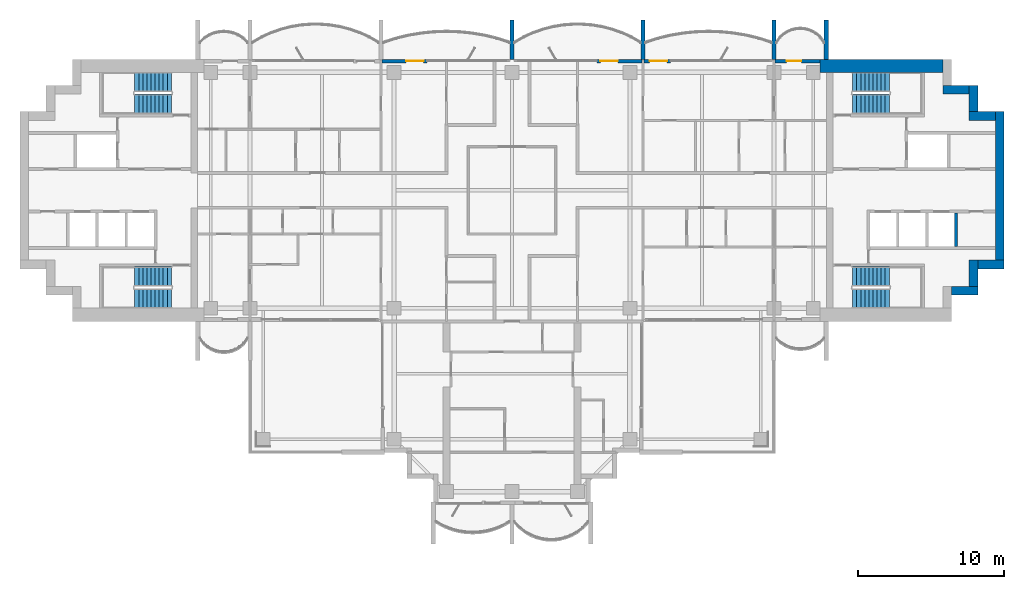
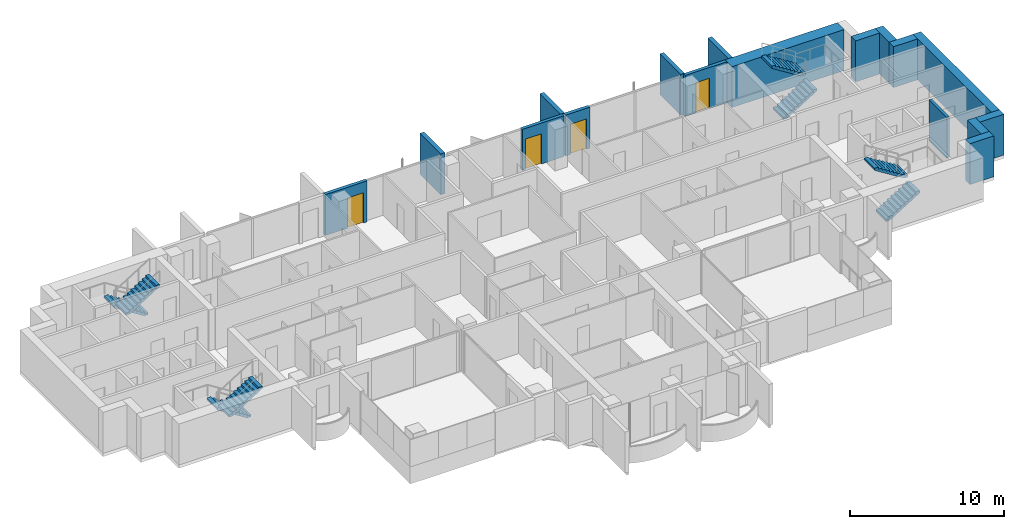
# One storey, part 13 of 17: 17 walls, 8 stair flights, 4 doors, 4 openings, 4 elements without a shape of their own.
"""IFC4 building model written with IfcOpenShell, lengths in metres."""

from ifc_helpers import new_model, si_unit, direction, frame, frame_2d, origin, place, context, subcontext, project, spatial, polyline, rectangle, outline, extrude, material, layer, layer_set, type_object, element, fill, aggregate, save


model = new_model("IFC4")

# Units and contexts
model_context = context("Model", 3, precision=1e-05, world=origin(), true_north=direction((0.0, 1.0)))
body_context = subcontext(model_context, "Body", "Model", "MODEL_VIEW")
ifc_project = project(units=[si_unit("LENGTHUNIT", "METRE"), si_unit("AREAUNIT", "SQUARE_METRE"), si_unit("VOLUMEUNIT", "CUBIC_METRE"), si_unit("PLANEANGLEUNIT", "RADIAN"), si_unit("MASSUNIT", "GRAM", prefix="KILO")], contexts=[model_context])

# Site, building, storey
site_placement = place(None, origin())
site = spatial("IfcSite", under=ifc_project, at=site_placement, CompositionType="ELEMENT")
building_placement = place(site_placement, origin())
building = spatial("IfcBuilding", under=site, at=building_placement, Name="Perihelion Cross Residences", CompositionType="ELEMENT")
storey_placement = place(building_placement, frame((0.0, 0.0, 201.60009765625)))
storey = spatial("IfcBuildingStorey", under=building, at=storey_placement, Name="L50", CompositionType="ELEMENT", Elevation=201.60009765625)

# Wall, opening, door
ifc_material_1 = material(Name="Concrete C30/37, bronze-clad", Category="concrete")
ifc_layer_1 = layer(ifc_material_1, 0.25)
ifc_layer_set_1 = layer_set([ifc_layer_1], Name="Bronze-clad pier wall 250")
wall_type_1 = type_object("IfcWallType", Name="Bronze-clad pier wall 250", PredefinedType="SOLIDWALL", material=ifc_layer_set_1)
wall_1_placement = place(storey_placement, frame((21.175048828125, 8.875, 0.0), z_axis=(0.0, 0.0, 1.0), x_axis=(-1.0, 0.0, 0.0)))
wall_1 = element("IfcWall", 1, at=wall_1_placement, inside=storey, type_object=wall_type_1, Name="Wall FW1 L50 east side north bay 1 pier", PredefinedType="SOLIDWALL", context=body_context, shape_type="SweptSolid", body=[
    extrude(rectangle(XDim=3.114990234375, YDim=0.25, at=frame_2d((1.5576171875, 0.0))), origin(), (0.0, 0.0, 1.0), 3.25),
])
opening_1_placement = place(wall_1_placement, frame((1.300048828125, 0.0, 0.0)))
opening_1 = element("IfcOpeningElement", 2, at=opening_1_placement, cuts=wall_1, Name="Opening L50.E01", PredefinedType="OPENING", context=body_context, shape_type="SweptSolid", body=[
    extrude(rectangle(XDim=1.0, YDim=2.39990234375, at=frame_2d((0.5, 1.199951171875))), frame((0.0, 0.135009765625, 0.0), z_axis=(0.0, -1.0, 0.0), x_axis=(1.0, 0.0, 0.0)), (0.0, 0.0, 1.0), 0.27001953125),
])
ifc_material_2 = material(Name="Bronze anodised aluminium, glazed", Category="aluminium")
door_type_1 = type_object("IfcDoorType", Name="Balcony door 1000 x 2400", OperationType="NOTDEFINED", PredefinedType="DOOR", material=ifc_material_2)
door_1_placement = place(opening_1_placement, origin())
door_1 = element("IfcDoor", 3, at=door_1_placement, inside=storey, type_object=door_type_1, Name="Door L50.E01 east side north bay 1", OperationType="SINGLE_SWING_LEFT", OverallHeight=2.39990234375, OverallWidth=1.0, PredefinedType="DOOR", context=body_context, shape_type="SweptSolid", body=[
    extrude(rectangle(XDim=1.0, YDim=2.39990234375, at=frame_2d((0.5, 1.199951171875))), frame((0.0, 0.02490234375, 0.0), z_axis=(0.0, -1.0, 0.0), x_axis=(1.0, 0.0, 0.0)), (0.0, 0.0, 1.0), 0.050048828125),
])
fill(opening_1, door_1)

wall_2_placement = place(storey_placement, frame((10.89990234375, 8.875, 0.0), z_axis=(0.0, 0.0, 1.0), x_axis=(-1.0, 0.0, 0.0)))
wall_2 = element("IfcWall", 4, at=wall_2_placement, inside=storey, type_object=wall_type_1, Name="Wall FW1 L50 east side north bay 2 pier", PredefinedType="SOLIDWALL", context=body_context, shape_type="SweptSolid", body=[
    extrude(rectangle(XDim=1.83984375, YDim=0.25, at=frame_2d((0.919921875, 0.0))), origin(), (0.0, 0.0, 1.0), 3.25),
])
opening_2_placement = place(wall_2_placement, frame((0.25, 0.0, 0.0)))
opening_2 = element("IfcOpeningElement", 5, at=opening_2_placement, cuts=wall_2, Name="Opening L50.E02", PredefinedType="OPENING", context=body_context, shape_type="SweptSolid", body=[
    extrude(rectangle(XDim=1.199951171875, YDim=2.39990234375, at=frame_2d((0.60009765625, 1.199951171875))), frame((0.0, 0.135009765625, 0.0), z_axis=(0.0, -1.0, 0.0), x_axis=(1.0, 0.0, 0.0)), (0.0, 0.0, 1.0), 0.27001953125),
])
ifc_material_3 = material(Name="Bronze anodised aluminium, glazed", Category="aluminium")
door_type_2 = type_object("IfcDoorType", Name="Balcony door 1200 x 2400", OperationType="NOTDEFINED", PredefinedType="DOOR", material=ifc_material_3)
door_2_placement = place(opening_2_placement, origin())
door_2 = element("IfcDoor", 6, at=door_2_placement, inside=storey, type_object=door_type_2, Name="Door L50.E02 east side north bay 2", OperationType="SINGLE_SWING_RIGHT", OverallHeight=2.39990234375, OverallWidth=1.199951171875, PredefinedType="DOOR", context=body_context, shape_type="SweptSolid", body=[
    extrude(rectangle(XDim=1.199951171875, YDim=2.39990234375, at=frame_2d((0.60009765625, 1.199951171875))), frame((0.0, 0.02490234375, 0.0), z_axis=(0.0, -1.0, 0.0), x_axis=(1.0, 0.0, 0.0)), (0.0, 0.0, 1.0), 0.050048828125),
])
fill(opening_2, door_2)

wall_3_placement = place(storey_placement, frame((8.93994140625, 8.875, 0.0), z_axis=(0.0, 0.0, 1.0), x_axis=(-1.0, 0.0, 0.0)))
wall_3 = element("IfcWall", 7, at=wall_3_placement, inside=storey, type_object=wall_type_1, Name="Wall FW1 L50 north side east bay 1 pier", PredefinedType="SOLIDWALL", context=body_context, shape_type="SweptSolid", body=[
    extrude(rectangle(XDim=3.114990234375, YDim=0.25, at=frame_2d((1.5576171875, 0.0))), origin(), (0.0, 0.0, 1.0), 3.25),
])
opening_3_placement = place(wall_3_placement, frame((1.6650390625, 0.0, 0.0)))
opening_3 = element("IfcOpeningElement", 8, at=opening_3_placement, cuts=wall_3, Name="Opening L50.E03", PredefinedType="OPENING", context=body_context, shape_type="SweptSolid", body=[
    extrude(rectangle(XDim=1.199951171875, YDim=2.39990234375, at=frame_2d((0.60009765625, 1.199951171875))), frame((0.0, 0.135009765625, 0.0), z_axis=(0.0, -1.0, 0.0), x_axis=(1.0, 0.0, 0.0)), (0.0, 0.0, 1.0), 0.27001953125),
])
door_3_placement = place(opening_3_placement, origin())
door_3 = element("IfcDoor", 9, at=door_3_placement, inside=storey, type_object=door_type_2, Name="Door L50.E03 north side east bay 1", OperationType="SINGLE_SWING_LEFT", OverallHeight=2.39990234375, OverallWidth=1.199951171875, PredefinedType="DOOR", context=body_context, shape_type="SweptSolid", body=[
    extrude(rectangle(XDim=1.199951171875, YDim=2.39990234375, at=frame_2d((0.60009765625, 1.199951171875))), frame((0.0, 0.02490234375, 0.0), z_axis=(0.0, -1.0, 0.0), x_axis=(1.0, 0.0, 0.0)), (0.0, 0.0, 1.0), 0.050048828125),
])
fill(opening_3, door_3)

wall_4_placement = place(storey_placement, frame((-5.824951171875, 8.875, 0.0), z_axis=(0.0, 0.0, 1.0), x_axis=(-1.0, 0.0, 0.0)))
wall_4 = element("IfcWall", 10, at=wall_4_placement, inside=storey, type_object=wall_type_1, Name="Wall FW1 L50 north side east bay 2 pier", PredefinedType="SOLIDWALL", context=body_context, shape_type="SweptSolid", body=[
    extrude(rectangle(XDim=3.114990234375, YDim=0.25, at=frame_2d((1.5576171875, 0.0))), origin(), (0.0, 0.0, 1.0), 3.25),
])
opening_4_placement = place(wall_4_placement, frame((0.25, 0.0, 0.0)))
opening_4 = element("IfcOpeningElement", 11, at=opening_4_placement, cuts=wall_4, Name="Opening L50.E04", PredefinedType="OPENING", context=body_context, shape_type="SweptSolid", body=[
    extrude(rectangle(XDim=1.199951171875, YDim=2.39990234375, at=frame_2d((0.60009765625, 1.199951171875))), frame((0.0, 0.135009765625, 0.0), z_axis=(0.0, -1.0, 0.0), x_axis=(1.0, 0.0, 0.0)), (0.0, 0.0, 1.0), 0.27001953125),
])
door_4_placement = place(opening_4_placement, origin())
door_4 = element("IfcDoor", 12, at=door_4_placement, inside=storey, type_object=door_type_2, Name="Door L50.E04 north side east bay 2", OperationType="SINGLE_SWING_RIGHT", OverallHeight=2.39990234375, OverallWidth=1.199951171875, PredefinedType="DOOR", context=body_context, shape_type="SweptSolid", body=[
    extrude(rectangle(XDim=1.199951171875, YDim=2.39990234375, at=frame_2d((0.60009765625, 1.199951171875))), frame((0.0, 0.02490234375, 0.0), z_axis=(0.0, -1.0, 0.0), x_axis=(1.0, 0.0, 0.0)), (0.0, 0.0, 1.0), 0.050048828125),
])
fill(opening_4, door_4)

# Walls
ifc_material_4 = material(Name="Concrete C60/75", Category="concrete")
ifc_layer_2 = layer(ifc_material_4, 0.60009765625)
ifc_layer_set_2 = layer_set([ifc_layer_2], Name="Core wall, outer 600")
wall_type_2 = type_object("IfcWallType", Name="Core wall, outer 600", PredefinedType="SHEAR", material=ifc_layer_set_2)
for number, where, z_axis, x_axis, name in (
    (13, (30.199951171875, -6.89990234375, 0.0), (0.0, 0.0, 1.0), (1.0, 0.0, 0.0), "East core core wall, outer"),
    (14, (31.699951171875, -6.60009765625, 0.0), (0.0, 0.0, 1.0), (0.0, 1.0, 0.0), "East core core wall, outer"),
    (15, (32.0, -5.10009765625, 0.0), (0.0, 0.0, 1.0), (1.0, 0.0, 0.0), "East core core wall, outer"),
):
    element("IfcWall", number, at=place(storey_placement, frame(where, z_axis=z_axis, x_axis=x_axis)), inside=storey, type_object=wall_type_2, Name=name, PredefinedType="SHEAR", context=body_context, shape_type="SweptSolid", body=[
        extrude(rectangle(XDim=1.800048828125, YDim=0.60009765625, at=frame_2d((0.89990234375, 0.0))), origin(), (0.0, 0.0, 1.0), 3.25),
    ])
wall_5_placement = place(storey_placement, frame((33.5, -4.800048828125, 0.0), z_axis=(0.0, 0.0, 1.0), x_axis=(0.0, 1.0, 0.0)))
element("IfcWall", 16, at=wall_5_placement, inside=storey, type_object=wall_type_2, Name="East core core wall, outer", PredefinedType="SHEAR", context=body_context, shape_type="SweptSolid", body=[
    extrude(rectangle(XDim=10.199951171875, YDim=0.60009765625, at=frame_2d((5.10009765625, 0.0))), origin(), (0.0, 0.0, 1.0), 3.25),
])
for number, where, z_axis, x_axis, name in (
    (17, (31.39990234375, 5.10009765625, 0.0), (0.0, 0.0, 1.0), (1.0, 0.0, 0.0), "East core core wall, outer"),
    (18, (31.699951171875, 5.39990234375, 0.0), (0.0, 0.0, 1.0), (0.0, 1.0, 0.0), "East core core wall, outer"),
):
    element("IfcWall", number, at=place(storey_placement, frame(where, z_axis=z_axis, x_axis=x_axis)), inside=storey, type_object=wall_type_2, Name=name, PredefinedType="SHEAR", context=body_context, shape_type="SweptSolid", body=[
        extrude(rectangle(XDim=1.800048828125, YDim=0.60009765625, at=frame_2d((0.89990234375, 0.0))), origin(), (0.0, 0.0, 1.0), 3.25),
    ])
wall_6_placement = place(storey_placement, frame((29.60009765625, 6.89990234375, 0.0), z_axis=(0.0, 0.0, 1.0), x_axis=(1.0, 0.0, 0.0)))
element("IfcWall", 19, at=wall_6_placement, inside=storey, type_object=wall_type_2, Name="East core core wall, outer", PredefinedType="SHEAR", context=body_context, shape_type="SweptSolid", body=[
    extrude(rectangle(XDim=1.7998046875, YDim=0.60009765625, at=frame_2d((0.89990234375, 0.0))), origin(), (0.0, 0.0, 1.0), 3.25),
])
ifc_material_5 = material(Name="Concrete C60/75", Category="concrete")
ifc_layer_3 = layer(ifc_material_5, 0.89990234375)
ifc_layer_set_3 = layer_set([ifc_layer_3], Name="Core wall, outer 900")
wall_type_3 = type_object("IfcWallType", Name="Core wall, outer 900", PredefinedType="SHEAR", material=ifc_layer_set_3)
wall_7_placement = place(storey_placement, frame((21.175048828125, 8.550048828125, 0.0), z_axis=(0.0, 0.0, 1.0), x_axis=(1.0, 0.0, 0.0)))
element("IfcWall", 20, at=wall_7_placement, inside=storey, type_object=wall_type_3, Name="East core core wall, outer", PredefinedType="SHEAR", context=body_context, shape_type="SweptSolid", body=[
    extrude(rectangle(XDim=8.425048828125, YDim=0.89990234375, at=frame_2d((4.21240234375, 0.0))), origin(), (0.0, 0.0, 1.0), 3.25),
])
ifc_material_6 = material(Name="Precast concrete C50/60", Category="concrete")
ifc_layer_4 = layer(ifc_material_6, 0.300048828125)
ifc_layer_set_4 = layer_set([ifc_layer_4], Name="Precast concrete C50/60 blade wall 300")
wall_type_4 = type_object("IfcWallType", Name="Precast concrete C50/60 blade wall 300", PredefinedType="SOLIDWALL", material=ifc_layer_set_4)
for number, where, z_axis, x_axis, name in (
    (21, (0.0, 9.0, 0.0), (0.0, 0.0, 1.0), (0.0, 1.0, 0.0), "Wall BL1 L50 no. 9"),
    (22, (9.0, 9.0, 0.0), (0.0, 0.0, 1.0), (0.0, 1.0, 0.0), "Wall BL1 L50 no. 16"),
    (23, (18.0, 9.0, 0.0), (0.0, 0.0, 1.0), (0.0, 1.0, 0.0), "Wall BL1 L50 no. 11"),
    (24, (21.60009765625, 9.0, 0.0), (0.0, 0.0, 1.0), (0.0, 1.0, 0.0), "Wall BL1 L50 no. 13"),
):
    element("IfcWall", number, at=place(storey_placement, frame(where, z_axis=z_axis, x_axis=x_axis)), inside=storey, type_object=wall_type_4, Name=name, PredefinedType="SOLIDWALL", context=body_context, shape_type="SweptSolid", body=[
        extrude(rectangle(XDim=2.699951171875, YDim=0.300048828125, at=frame_2d((1.35009765625, 0.0))), origin(), (0.0, 0.0, 1.0), 3.25),
    ])
ifc_material_7 = material(Name="Concrete C50/60", Category="concrete")
ifc_layer_5 = layer(ifc_material_7, 0.199951171875)
ifc_layer_set_5 = layer_set([ifc_layer_5], Name="Shaft wall 200")
wall_type_5 = type_object("IfcWallType", Name="Shaft wall 200", PredefinedType="SOLIDWALL", material=ifc_layer_set_5)
wall_8_placement = place(storey_placement, frame((30.5, -3.85009765625, 0.0), z_axis=(0.0, 0.0, 1.0), x_axis=(0.0, 1.0, 0.0)))
element("IfcWall", 25, at=wall_8_placement, inside=storey, type_object=wall_type_5, Name="East core shaft wall", PredefinedType="SOLIDWALL", context=body_context, shape_type="SweptSolid", body=[
    extrude(rectangle(XDim=2.300048828125, YDim=0.199951171875, at=frame_2d((1.14990234375, 0.0))), origin(), (0.0, 0.0, 1.0), 3.25),
])

# Stair, stair flights
ifc_material_8 = material(Name="Concrete C40/50", Category="concrete")
stair_type = type_object("IfcStairType", Name="Exit stair, half-turn", PredefinedType="HALF_TURN_STAIR", material=ifc_material_8)
stair_1_placement = place(storey_placement, origin())
stair_1 = element("IfcStair", 26, at=stair_1_placement, inside=storey, type_object=stair_type, Name="L50 East core exit stair 1", PredefinedType="HALF_TURN_STAIR")
ifc_material_9 = material(Name="Concrete C40/50", Category="concrete")
stair_flight_type = type_object("IfcStairFlightType", Name="Exit stair flight", PredefinedType="STRAIGHT", material=ifc_material_9)
stair_flight_1_placement = place(storey_placement, frame((23.39990234375, 5.925048828125, 0.0), z_axis=(0.0, 0.0, 1.0), x_axis=(1.0, 0.0, 0.0)))
stair_flight_1 = element("IfcStairFlight", 27, at=stair_flight_1_placement, type_object=stair_flight_type, Name="ST-E1 flight 1", NumberOfRisers=10, NumberOfTreads=9, PredefinedType="STRAIGHT", RiserHeight=0.175, TreadLength=0.28, context=body_context, shape_type="SweptSolid", body=[
    extrude(outline(polyline([(0.0, 0.0), (0.0, 0.175048828125), (0.280029296875, 0.175048828125), (0.280029296875, 0.35009765625), (0.56005859375, 0.35009765625), (0.56005859375, 0.52490234375), (0.840087890625, 0.52490234375), (0.840087890625, 0.699951171875), (1.1201171875, 0.699951171875), (1.1201171875, 0.875), (1.39990234375, 0.875), (1.39990234375, 1.050048828125), (1.679931640625, 1.050048828125), (1.679931640625, 1.22509765625), (1.9599609375, 1.22509765625), (1.9599609375, 1.39990234375), (2.239990234375, 1.39990234375), (2.239990234375, 1.574951171875), (2.52001953125, 1.574951171875), (2.52001953125, 1.75), (2.52001953125, 1.398193359375), (0.28271484375, 0.0), (0.0, 0.0)])), frame((0.0, 0.675048828125, 0.0), z_axis=(0.0, -1.0, 0.0), x_axis=(1.0, 0.0, 0.0)), (0.0, 0.0, 1.0), 1.35009765625),
])
stair_flight_2_placement = place(storey_placement, frame((25.919921875, 7.425048828125, 1.75), z_axis=(0.0, 0.0, 1.0), x_axis=(-1.0, 0.0, 0.0)))
stair_flight_2 = element("IfcStairFlight", 28, at=stair_flight_2_placement, type_object=stair_flight_type, Name="ST-E1 flight 2", NumberOfRisers=10, NumberOfTreads=9, PredefinedType="STRAIGHT", RiserHeight=0.175, TreadLength=0.28, context=body_context, shape_type="SweptSolid", body=[
    extrude(outline(polyline([(0.0, 0.0), (0.0, 0.175048828125), (0.280029296875, 0.175048828125), (0.280029296875, 0.35009765625), (0.56005859375, 0.35009765625), (0.56005859375, 0.52490234375), (0.840087890625, 0.52490234375), (0.840087890625, 0.699951171875), (1.1201171875, 0.699951171875), (1.1201171875, 0.875), (1.39990234375, 0.875), (1.39990234375, 1.050048828125), (1.679931640625, 1.050048828125), (1.679931640625, 1.22509765625), (1.9599609375, 1.22509765625), (1.9599609375, 1.39990234375), (2.239990234375, 1.39990234375), (2.239990234375, 1.574951171875), (2.52001953125, 1.574951171875), (2.52001953125, 1.75), (2.52001953125, 1.398193359375), (0.28271484375, 0.0), (0.0, 0.0)])), frame((0.0, 0.675048828125, 0.0), z_axis=(0.0, -1.0, 0.0), x_axis=(1.0, 0.0, 0.0)), (0.0, 0.0, 1.0), 1.35009765625),
])
aggregate(stair_1, [stair_flight_1, stair_flight_2])

stair_2_placement = place(storey_placement, origin())
stair_2 = element("IfcStair", 29, at=stair_2_placement, inside=storey, type_object=stair_type, Name="L50 East core exit stair 2", PredefinedType="HALF_TURN_STAIR")
stair_flight_3_placement = place(storey_placement, frame((23.39990234375, -7.425048828125, 0.0), z_axis=(0.0, 0.0, 1.0), x_axis=(1.0, 0.0, 0.0)))
stair_flight_3 = element("IfcStairFlight", 30, at=stair_flight_3_placement, type_object=stair_flight_type, Name="ST-E2 flight 1", NumberOfRisers=10, NumberOfTreads=9, PredefinedType="STRAIGHT", RiserHeight=0.175, TreadLength=0.28, context=body_context, shape_type="SweptSolid", body=[
    extrude(outline(polyline([(0.0, 0.0), (0.0, 0.175048828125), (0.280029296875, 0.175048828125), (0.280029296875, 0.35009765625), (0.56005859375, 0.35009765625), (0.56005859375, 0.52490234375), (0.840087890625, 0.52490234375), (0.840087890625, 0.699951171875), (1.1201171875, 0.699951171875), (1.1201171875, 0.875), (1.39990234375, 0.875), (1.39990234375, 1.050048828125), (1.679931640625, 1.050048828125), (1.679931640625, 1.22509765625), (1.9599609375, 1.22509765625), (1.9599609375, 1.39990234375), (2.239990234375, 1.39990234375), (2.239990234375, 1.574951171875), (2.52001953125, 1.574951171875), (2.52001953125, 1.75), (2.52001953125, 1.398193359375), (0.28271484375, 0.0), (0.0, 0.0)])), frame((0.0, 0.675048828125, 0.0), z_axis=(0.0, -1.0, 0.0), x_axis=(1.0, 0.0, 0.0)), (0.0, 0.0, 1.0), 1.35009765625),
])
stair_flight_4_placement = place(storey_placement, frame((25.919921875, -5.925048828125, 1.75), z_axis=(0.0, 0.0, 1.0), x_axis=(-1.0, 0.0, 0.0)))
stair_flight_4 = element("IfcStairFlight", 31, at=stair_flight_4_placement, type_object=stair_flight_type, Name="ST-E2 flight 2", NumberOfRisers=10, NumberOfTreads=9, PredefinedType="STRAIGHT", RiserHeight=0.175, TreadLength=0.28, context=body_context, shape_type="SweptSolid", body=[
    extrude(outline(polyline([(0.0, 0.0), (0.0, 0.175048828125), (0.280029296875, 0.175048828125), (0.280029296875, 0.35009765625), (0.56005859375, 0.35009765625), (0.56005859375, 0.52490234375), (0.840087890625, 0.52490234375), (0.840087890625, 0.699951171875), (1.1201171875, 0.699951171875), (1.1201171875, 0.875), (1.39990234375, 0.875), (1.39990234375, 1.050048828125), (1.679931640625, 1.050048828125), (1.679931640625, 1.22509765625), (1.9599609375, 1.22509765625), (1.9599609375, 1.39990234375), (2.239990234375, 1.39990234375), (2.239990234375, 1.574951171875), (2.52001953125, 1.574951171875), (2.52001953125, 1.75), (2.52001953125, 1.398193359375), (0.28271484375, 0.0), (0.0, 0.0)])), frame((0.0, 0.675048828125, 0.0), z_axis=(0.0, -1.0, 0.0), x_axis=(1.0, 0.0, 0.0)), (0.0, 0.0, 1.0), 1.35009765625),
])
aggregate(stair_2, [stair_flight_3, stair_flight_4])

stair_3_placement = place(storey_placement, origin())
stair_3 = element("IfcStair", 32, at=stair_3_placement, inside=storey, type_object=stair_type, Name="L50 West core exit stair 1", PredefinedType="HALF_TURN_STAIR")
stair_flight_5_placement = place(storey_placement, frame((-23.39990234375, 7.425048828125, 0.0), z_axis=(0.0, 0.0, 1.0), x_axis=(-1.0, 0.0, 0.0)))
stair_flight_5 = element("IfcStairFlight", 33, at=stair_flight_5_placement, type_object=stair_flight_type, Name="ST-W1 flight 1", NumberOfRisers=10, NumberOfTreads=9, PredefinedType="STRAIGHT", RiserHeight=0.175, TreadLength=0.28, context=body_context, shape_type="SweptSolid", body=[
    extrude(outline(polyline([(0.0, 0.0), (0.0, 0.175048828125), (0.280029296875, 0.175048828125), (0.280029296875, 0.35009765625), (0.56005859375, 0.35009765625), (0.56005859375, 0.52490234375), (0.840087890625, 0.52490234375), (0.840087890625, 0.699951171875), (1.1201171875, 0.699951171875), (1.1201171875, 0.875), (1.39990234375, 0.875), (1.39990234375, 1.050048828125), (1.679931640625, 1.050048828125), (1.679931640625, 1.22509765625), (1.9599609375, 1.22509765625), (1.9599609375, 1.39990234375), (2.239990234375, 1.39990234375), (2.239990234375, 1.574951171875), (2.52001953125, 1.574951171875), (2.52001953125, 1.75), (2.52001953125, 1.398193359375), (0.28271484375, 0.0), (0.0, 0.0)])), frame((0.0, 0.675048828125, 0.0), z_axis=(0.0, -1.0, 0.0), x_axis=(1.0, 0.0, 0.0)), (0.0, 0.0, 1.0), 1.35009765625),
])
stair_flight_6_placement = place(storey_placement, frame((-25.919921875, 5.925048828125, 1.75), z_axis=(0.0, 0.0, 1.0), x_axis=(1.0, 0.0, 0.0)))
stair_flight_6 = element("IfcStairFlight", 34, at=stair_flight_6_placement, type_object=stair_flight_type, Name="ST-W1 flight 2", NumberOfRisers=10, NumberOfTreads=9, PredefinedType="STRAIGHT", RiserHeight=0.175, TreadLength=0.28, context=body_context, shape_type="SweptSolid", body=[
    extrude(outline(polyline([(0.0, 0.0), (0.0, 0.175048828125), (0.280029296875, 0.175048828125), (0.280029296875, 0.35009765625), (0.56005859375, 0.35009765625), (0.56005859375, 0.52490234375), (0.840087890625, 0.52490234375), (0.840087890625, 0.699951171875), (1.1201171875, 0.699951171875), (1.1201171875, 0.875), (1.39990234375, 0.875), (1.39990234375, 1.050048828125), (1.679931640625, 1.050048828125), (1.679931640625, 1.22509765625), (1.9599609375, 1.22509765625), (1.9599609375, 1.39990234375), (2.239990234375, 1.39990234375), (2.239990234375, 1.574951171875), (2.52001953125, 1.574951171875), (2.52001953125, 1.75), (2.52001953125, 1.398193359375), (0.28271484375, 0.0), (0.0, 0.0)])), frame((0.0, 0.675048828125, 0.0), z_axis=(0.0, -1.0, 0.0), x_axis=(1.0, 0.0, 0.0)), (0.0, 0.0, 1.0), 1.35009765625),
])
aggregate(stair_3, [stair_flight_5, stair_flight_6])

stair_4_placement = place(storey_placement, origin())
stair_4 = element("IfcStair", 35, at=stair_4_placement, inside=storey, type_object=stair_type, Name="L50 West core exit stair 2", PredefinedType="HALF_TURN_STAIR")
stair_flight_7_placement = place(storey_placement, frame((-23.39990234375, -5.925048828125, 0.0), z_axis=(0.0, 0.0, 1.0), x_axis=(-1.0, 0.0, 0.0)))
stair_flight_7 = element("IfcStairFlight", 36, at=stair_flight_7_placement, type_object=stair_flight_type, Name="ST-W2 flight 1", NumberOfRisers=10, NumberOfTreads=9, PredefinedType="STRAIGHT", RiserHeight=0.175, TreadLength=0.28, context=body_context, shape_type="SweptSolid", body=[
    extrude(outline(polyline([(0.0, 0.0), (0.0, 0.175048828125), (0.280029296875, 0.175048828125), (0.280029296875, 0.35009765625), (0.56005859375, 0.35009765625), (0.56005859375, 0.52490234375), (0.840087890625, 0.52490234375), (0.840087890625, 0.699951171875), (1.1201171875, 0.699951171875), (1.1201171875, 0.875), (1.39990234375, 0.875), (1.39990234375, 1.050048828125), (1.679931640625, 1.050048828125), (1.679931640625, 1.22509765625), (1.9599609375, 1.22509765625), (1.9599609375, 1.39990234375), (2.239990234375, 1.39990234375), (2.239990234375, 1.574951171875), (2.52001953125, 1.574951171875), (2.52001953125, 1.75), (2.52001953125, 1.398193359375), (0.28271484375, 0.0), (0.0, 0.0)])), frame((0.0, 0.675048828125, 0.0), z_axis=(0.0, -1.0, 0.0), x_axis=(1.0, 0.0, 0.0)), (0.0, 0.0, 1.0), 1.35009765625),
])
stair_flight_8_placement = place(storey_placement, frame((-25.919921875, -7.425048828125, 1.75), z_axis=(0.0, 0.0, 1.0), x_axis=(1.0, 0.0, 0.0)))
stair_flight_8 = element("IfcStairFlight", 37, at=stair_flight_8_placement, type_object=stair_flight_type, Name="ST-W2 flight 2", NumberOfRisers=10, NumberOfTreads=9, PredefinedType="STRAIGHT", RiserHeight=0.175, TreadLength=0.28, context=body_context, shape_type="SweptSolid", body=[
    extrude(outline(polyline([(0.0, 0.0), (0.0, 0.175048828125), (0.280029296875, 0.175048828125), (0.280029296875, 0.35009765625), (0.56005859375, 0.35009765625), (0.56005859375, 0.52490234375), (0.840087890625, 0.52490234375), (0.840087890625, 0.699951171875), (1.1201171875, 0.699951171875), (1.1201171875, 0.875), (1.39990234375, 0.875), (1.39990234375, 1.050048828125), (1.679931640625, 1.050048828125), (1.679931640625, 1.22509765625), (1.9599609375, 1.22509765625), (1.9599609375, 1.39990234375), (2.239990234375, 1.39990234375), (2.239990234375, 1.574951171875), (2.52001953125, 1.574951171875), (2.52001953125, 1.75), (2.52001953125, 1.398193359375), (0.28271484375, 0.0), (0.0, 0.0)])), frame((0.0, 0.675048828125, 0.0), z_axis=(0.0, -1.0, 0.0), x_axis=(1.0, 0.0, 0.0)), (0.0, 0.0, 1.0), 1.35009765625),
])
aggregate(stair_4, [stair_flight_7, stair_flight_8])

save(model, "model.ifc")
